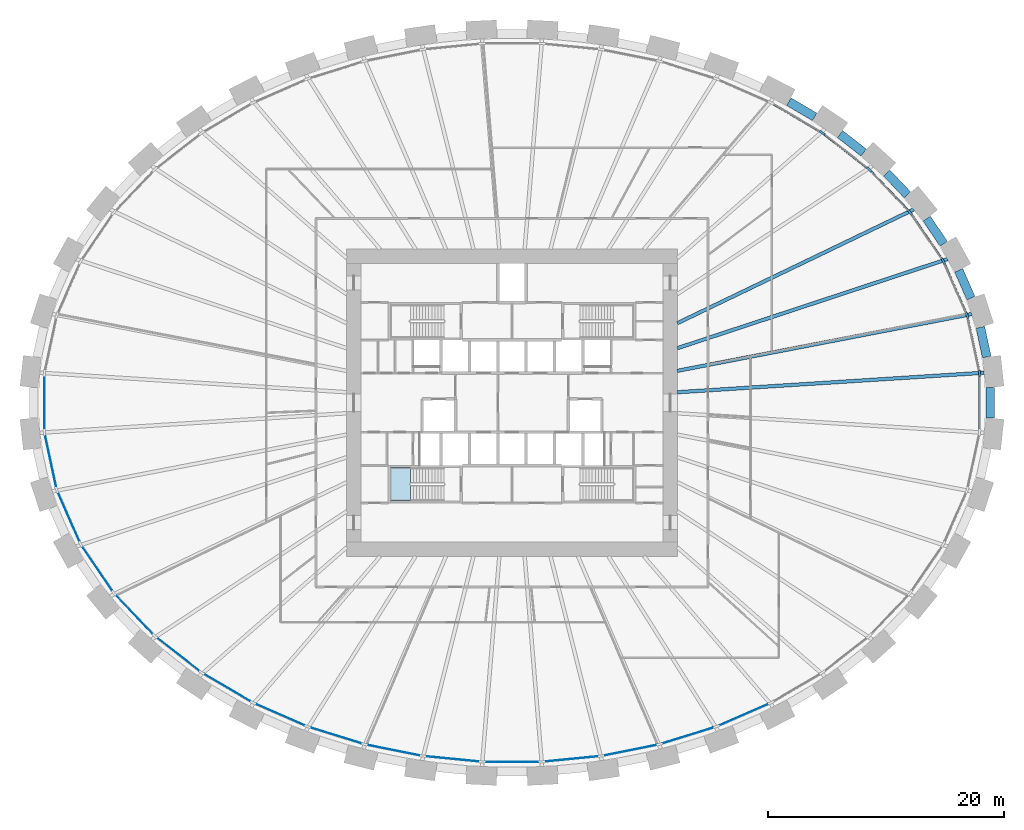
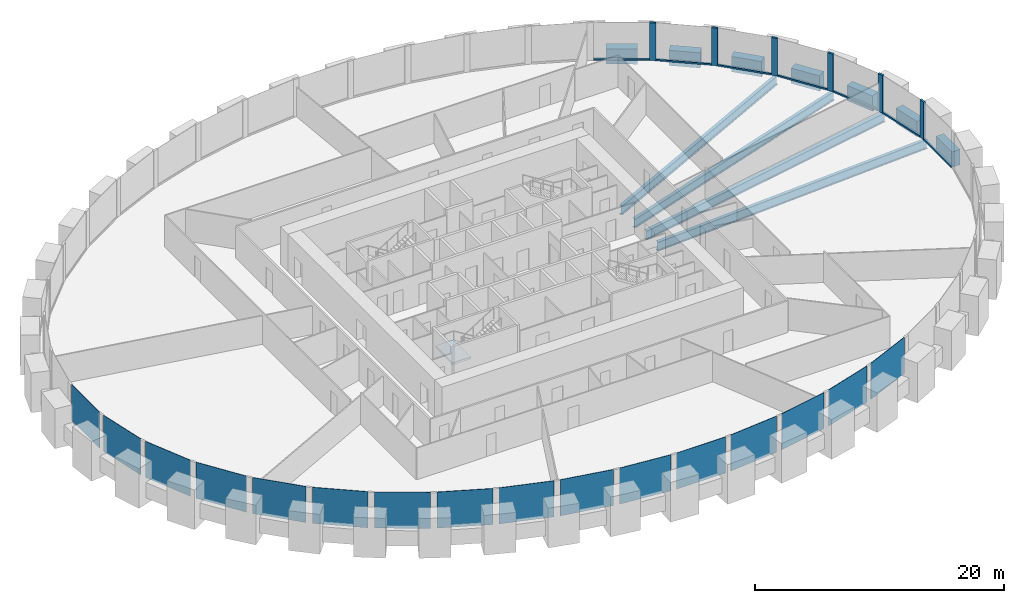
# One storey, part 4 of 11: 16 plates, 13 members, 11 beams, 1 slab, 2 elements without a shape of their own.
"""IFC4 building model written with IfcOpenShell, lengths in metres."""

from ifc_helpers import new_model, si_unit, direction, frame, origin, origin_2d, place, context, subcontext, project, spatial, polyline, rectangle, i_section, outline, extrude, source, transform, mapped, material, layer, layer_set, material_profile, profile_set, type_object, element, aggregate, save


model = new_model("IFC4")

# Units and contexts
model_context = context("Model", 3, precision=1e-05, world=origin(), true_north=direction((0.0, 1.0)))
body_context = subcontext(model_context, "Body", "Model", "MODEL_VIEW")
ifc_project = project(units=[si_unit("LENGTHUNIT", "METRE"), si_unit("AREAUNIT", "SQUARE_METRE"), si_unit("VOLUMEUNIT", "CUBIC_METRE"), si_unit("PLANEANGLEUNIT", "RADIAN"), si_unit("MASSUNIT", "GRAM", prefix="KILO")], contexts=[model_context])

# Site, building, storey
site_placement = place(None, origin())
site = spatial("IfcSite", under=ifc_project, at=site_placement, CompositionType="ELEMENT")
building_placement = place(site_placement, origin())
building = spatial("IfcBuilding", under=site, at=building_placement, Name="Embergate Tower", CompositionType="ELEMENT")
storey_placement = place(building_placement, frame((0.0, 0.0, 69.800048828125)))
storey = spatial("IfcBuildingStorey", under=building, at=storey_placement, Name="L13", CompositionType="ELEMENT", Elevation=69.800048828125)

# Beams
ifc_material_1 = material(Name="Concrete C70", Category="concrete")
ifc_material_profile_1 = material_profile(ifc_material_1, rectangle(XDim=0.75, YDim=1.5, at=origin_2d()), Name="RC 750x1500")
ifc_profile_set_1 = profile_set([ifc_material_profile_1], Name="Concrete C70")
beam_type_1 = type_object("IfcBeamType", Name="Spandrel beam RC 750x1500 C70", PredefinedType="BEAM", material=ifc_profile_set_1)
shared_shape_1 = source(origin(), body_context, "Body", "SweptSolid", [
    extrude(rectangle(XDim=0.75, YDim=1.5, at=origin_2d()), origin(), (0.0, 0.0, 1.0), 2.5498046875),
])
beam_1_placement = place(storey_placement, frame((33.48388671875, 17.60791015625, 0.0), z_axis=(-0.689760361446, 0.724037736432, 0.0), x_axis=(-0.724037736432, -0.689760361446, 0.0)))
element("IfcBeam", 1, at=beam_1_placement, inside=storey, type_object=beam_type_1, Name="SPN-L13-03", PredefinedType="BEAM", context=body_context, shape_type="MappedRepresentation", body=[
    mapped(shared_shape_1, transform((0.0, 0.0, 0.0))),
])
shared_shape_2 = source(origin(), body_context, "Body", "SweptSolid", [
    extrude(rectangle(XDim=0.75, YDim=1.5, at=origin_2d()), origin(), (0.0, 0.0, 1.0), 2.5693359375),
])
beam_2_placement = place(storey_placement, frame((40.201904296875, 3.87109375, 0.0), z_axis=(-0.210093623492, 0.977681271871, 0.0), x_axis=(-0.977681271871, -0.210093623492, 0.0)))
element("IfcBeam", 2, at=beam_2_placement, inside=storey, type_object=beam_type_1, Name="SPN-L13-00", PredefinedType="BEAM", context=body_context, shape_type="MappedRepresentation", body=[
    mapped(shared_shape_2, transform((0.0, 0.0, 0.0))),
])
shared_shape_3 = source(origin(), body_context, "Body", "SweptSolid", [
    extrude(rectangle(XDim=0.75, YDim=1.5, at=origin_2d()), origin(), (0.0, 0.0, 1.0), 2.56591796875),
])
beam_3_placement = place(storey_placement, frame((38.862060546875, 8.85693359375, 0.0), z_axis=(-0.401427690069, 0.915890719271, 0.0), x_axis=(-0.915890719271, -0.401427690069, 0.0)))
element("IfcBeam", 3, at=beam_3_placement, inside=storey, type_object=beam_type_1, Name="SPN-L13-01", PredefinedType="BEAM", context=body_context, shape_type="MappedRepresentation", body=[
    mapped(shared_shape_3, transform((0.0, 0.0, 0.0))),
])
shared_shape_4 = source(origin(), body_context, "Body", "SweptSolid", [
    extrude(rectangle(XDim=0.75, YDim=1.5, at=origin_2d()), origin(), (0.0, 0.0, 1.0), 2.556640625),
])
beam_4_placement = place(storey_placement, frame((36.555908203125, 13.471923828125, 0.0), z_axis=(-0.562432772417, 0.826843018058, 0.0), x_axis=(-0.826843018058, -0.562432772417, 0.0)))
element("IfcBeam", 4, at=beam_4_placement, inside=storey, type_object=beam_type_1, Name="SPN-L13-02", PredefinedType="BEAM", context=body_context, shape_type="MappedRepresentation", body=[
    mapped(shared_shape_4, transform((0.0, 0.0, 0.0))),
])
shared_shape_5 = source(origin(), body_context, "Body", "SweptSolid", [
    extrude(rectangle(XDim=0.75, YDim=1.5, at=origin_2d()), origin(), (0.0, 0.0, 1.0), 2.542724609375),
])
beam_5_placement = place(storey_placement, frame((29.783935546875, 21.18408203125, 0.0), z_axis=(-0.788472504965, 0.615070003264, 0.0), x_axis=(-0.615070003264, -0.788472504965, 0.0)))
element("IfcBeam", 5, at=beam_5_placement, inside=storey, type_object=beam_type_1, Name="SPN-L13-04", PredefinedType="BEAM", context=body_context, shape_type="MappedRepresentation", body=[
    mapped(shared_shape_5, transform((0.0, 0.0, 0.0))),
])
shared_shape_6 = source(origin(), body_context, "Body", "SweptSolid", [
    extrude(rectangle(XDim=0.75, YDim=1.5, at=origin_2d()), origin(), (0.0, 0.0, 1.0), 2.537109375),
])
beam_6_placement = place(storey_placement, frame((25.62890625, 24.2099609375, 0.0), z_axis=(-0.861993577549, 0.506919196978, 0.0), x_axis=(-0.506919196978, -0.861993577549, 0.0)))
element("IfcBeam", 6, at=beam_6_placement, inside=storey, type_object=beam_type_1, Name="SPN-L13-05", PredefinedType="BEAM", context=body_context, shape_type="MappedRepresentation", body=[
    mapped(shared_shape_6, transform((0.0, 0.0, 0.0))),
])
shared_shape_7 = source(origin(), body_context, "Body", "SweptSolid", [
    extrude(rectangle(XDim=0.75, YDim=1.5, at=origin_2d()), origin(), (0.0, 0.0, 1.0), 2.576171875),
])
beam_7_placement = place(storey_placement, frame((40.4970703125, -1.2880859375, 0.0), z_axis=(0.0, 1.0, 0.0), x_axis=(-1.0, 0.0, 0.0)))
element("IfcBeam", 7, at=beam_7_placement, inside=storey, type_object=beam_type_1, Name="SPN-L13-43", PredefinedType="BEAM", context=body_context, shape_type="MappedRepresentation", body=[
    mapped(shared_shape_7, transform((0.0, 0.0, 0.0))),
])
ifc_material_2 = material(Name="Steel Q355B", Category="steel")
ifc_material_profile_2 = material_profile(ifc_material_2, i_section(OverallWidth=0.300048828125, OverallDepth=0.89990234375, WebThickness=0.01611328125, FlangeThickness=0.028076171875, FilletRadius=0.028076171875, at=origin_2d()), Name="HN 900x300x16x28")
ifc_profile_set_2 = profile_set([ifc_material_profile_2], Name="Steel Q355 grade B")
beam_type_2 = type_object("IfcBeamType", Name="Radial girder HN 900x300x16x28", PredefinedType="BEAM", material=ifc_profile_set_2)
shared_shape_8 = source(origin(), body_context, "Body", "SweptSolid", [
    extrude(i_section(OverallWidth=0.300048828125, OverallDepth=0.89990234375, WebThickness=0.01611328125, FlangeThickness=0.028076171875, FilletRadius=0.028076171875, at=origin_2d()), origin(), (0.0, 0.0, 1.0), 26.034423828125),
])
beam_8_placement = place(storey_placement, frame((39.98193359375, 2.5400390625, -0.650146484375), z_axis=(-0.997986864702, -0.063420957753, 0.0), x_axis=(0.063420957753, -0.997986864702, 0.0)))
element("IfcBeam", 8, at=beam_8_placement, inside=storey, type_object=beam_type_2, Name="GIR-L13-00", PredefinedType="BEAM", context=body_context, shape_type="MappedRepresentation", body=[
    mapped(shared_shape_8, transform((0.0, 0.0, 0.0))),
])
shared_shape_9 = source(origin(), body_context, "Body", "SweptSolid", [
    extrude(i_section(OverallWidth=0.300048828125, OverallDepth=0.89990234375, WebThickness=0.01611328125, FlangeThickness=0.028076171875, FilletRadius=0.028076171875, at=origin_2d()), origin(), (0.0, 0.0, 1.0), 25.373291015625),
])
beam_9_placement = place(storey_placement, frame((38.9140625, 7.507080078125, -0.650146484375), z_axis=(-0.981896748495, -0.189416935078, 0.0), x_axis=(0.189416935078, -0.981896748495, 0.0)))
element("IfcBeam", 9, at=beam_9_placement, inside=storey, type_object=beam_type_2, Name="GIR-L13-01", PredefinedType="BEAM", context=body_context, shape_type="MappedRepresentation", body=[
    mapped(shared_shape_9, transform((0.0, 0.0, 0.0))),
])
shared_shape_10 = source(origin(), body_context, "Body", "SweptSolid", [
    extrude(i_section(OverallWidth=0.300048828125, OverallDepth=0.89990234375, WebThickness=0.01611328125, FlangeThickness=0.028076171875, FilletRadius=0.028076171875, at=origin_2d()), origin(), (0.0, 0.0, 1.0), 24.0849609375),
])
beam_10_placement = place(storey_placement, frame((36.873046875, 12.160888671875, -0.650146484375), z_axis=(-0.949680038857, -0.313221684748, 0.0), x_axis=(0.313221684748, -0.949680038857, 0.0)))
element("IfcBeam", 10, at=beam_10_placement, inside=storey, type_object=beam_type_2, Name="GIR-L13-02", PredefinedType="BEAM", context=body_context, shape_type="MappedRepresentation", body=[
    mapped(shared_shape_10, transform((0.0, 0.0, 0.0))),
])
shared_shape_11 = source(origin(), body_context, "Body", "SweptSolid", [
    extrude(i_section(OverallWidth=0.300048828125, OverallDepth=0.89990234375, WebThickness=0.01611328125, FlangeThickness=0.028076171875, FilletRadius=0.028076171875, at=origin_2d()), origin(), (0.0, 0.0, 1.0), 22.210693359375),
])
beam_11_placement = place(storey_placement, frame((34.014892578125, 16.364013671875, -0.650146484375), z_axis=(-0.90114054222, -0.433527073165, 0.0), x_axis=(0.433527073165, -0.90114054222, 0.0)))
element("IfcBeam", 11, at=beam_11_placement, inside=storey, type_object=beam_type_2, Name="GIR-L13-03", PredefinedType="BEAM", context=body_context, shape_type="MappedRepresentation", body=[
    mapped(shared_shape_11, transform((0.0, 0.0, 0.0))),
])

# Curtain wall, members, plates
ifc_material_3 = material(Name="Aluminium and glass", Category="aluminium")
curtain_wall_type = type_object("IfcCurtainWallType", Name="Recessed office glazing", PredefinedType="NOTDEFINED", material=ifc_material_3)
curtain_wall_placement = place(storey_placement, origin())
curtain_wall = element("IfcCurtainWall", 12, at=curtain_wall_placement, inside=storey, type_object=curtain_wall_type, Name="Recessed office glazing ring", ObjectType="RECESSED OFFICE GLAZING", PredefinedType="USERDEFINED")
ifc_material_4 = material(Name="Aluminium, thermally broken", Category="aluminium")
ifc_material_profile_3 = material_profile(ifc_material_4, rectangle(XDim=0.179931640625, YDim=0.52001953125, at=origin_2d()), Name="AL 520x180")
ifc_profile_set_3 = profile_set([ifc_material_profile_3], Name="Aluminium, thermally broken")
member_type_1 = type_object("IfcMemberType", Name="Office mullion", PredefinedType="MULLION", material=ifc_profile_set_3)
shared_shape_12 = source(origin(), body_context, "Body", "SweptSolid", [
    extrude(rectangle(XDim=0.179931640625, YDim=0.52001953125, at=origin_2d()), origin(), (0.0, 0.0, 1.0), 3.699951171875),
])
member_1_placement = place(storey_placement, frame((39.59521484375, 2.498291015625, 0.0), z_axis=(0.0, 0.0, 1.0), x_axis=(-0.994385324123, -0.105819786286, 0.0)))
member_1 = element("IfcMember", 13, at=member_1_placement, type_object=member_type_1, Name="CW mullion 1", PredefinedType="MULLION", context=body_context, shape_type="MappedRepresentation", body=[
    mapped(shared_shape_12, transform((0.0, 0.0, 0.0))),
])
member_2_placement = place(storey_placement, frame((38.543212890625, 7.3857421875, 0.0), z_axis=(0.0, 0.0, 1.0), x_axis=(-0.951501019702, -0.307645590748, 0.0)))
member_2 = element("IfcMember", 14, at=member_2_placement, type_object=member_type_1, Name="CW mullion 2", PredefinedType="MULLION", context=body_context, shape_type="MappedRepresentation", body=[
    mapped(shared_shape_12, transform((0.0, 0.0, 0.0))),
])
member_3_placement = place(storey_placement, frame((36.532470703125, 11.970458984375, 0.0), z_axis=(0.0, 0.0, 1.0), x_axis=(-0.875007810402, -0.484108801547, 0.0)))
member_3 = element("IfcMember", 15, at=member_3_placement, type_object=member_type_1, Name="CW mullion 3", PredefinedType="MULLION", context=body_context, shape_type="MappedRepresentation", body=[
    mapped(shared_shape_12, transform((0.0, 0.0, 0.0))),
])
member_4_placement = place(storey_placement, frame((33.712158203125, 16.11767578125, 0.0), z_axis=(0.0, 0.0, 1.0), x_axis=(-0.777880241921, -0.628412547002, 0.0)))
member_4 = element("IfcMember", 16, at=member_4_placement, type_object=member_type_1, Name="CW mullion 4", PredefinedType="MULLION", context=body_context, shape_type="MappedRepresentation", body=[
    mapped(shared_shape_12, transform((0.0, 0.0, 0.0))),
])
member_5_placement = place(storey_placement, frame((30.2451171875, 19.75341796875, 0.0), z_axis=(0.0, 0.0, 1.0), x_axis=(-0.671234296295, -0.74124524921, 0.0)))
member_5 = element("IfcMember", 17, at=member_5_placement, type_object=member_type_1, Name="CW mullion 5", PredefinedType="MULLION", context=body_context, shape_type="MappedRepresentation", body=[
    mapped(shared_shape_12, transform((0.0, 0.0, 0.0))),
])
member_6_placement = place(storey_placement, frame((26.278564453125, 22.849365234375, 0.0), z_axis=(0.0, 0.0, 1.0), x_axis=(-0.562223392005, -0.826985403428, 0.0)))
member_6 = element("IfcMember", 18, at=member_6_placement, type_object=member_type_1, Name="CW mullion 6", PredefinedType="MULLION", context=body_context, shape_type="MappedRepresentation", body=[
    mapped(shared_shape_12, transform((0.0, 0.0, 0.0))),
])
ifc_material_profile_4 = material_profile(ifc_material_4, rectangle(XDim=0.179931640625, YDim=0.14990234375, at=origin_2d()), Name="AL 150x180")
ifc_profile_set_4 = profile_set([ifc_material_profile_4], Name="Aluminium, thermally broken")
member_type_2 = type_object("IfcMemberType", Name="Office sill transom", PredefinedType="USERDEFINED", material=ifc_profile_set_4)
shared_shape_13 = source(origin(), body_context, "Body", "SweptSolid", [
    extrude(rectangle(XDim=0.179931640625, YDim=0.14990234375, at=origin_2d()), origin(), (0.0, 0.0, 1.0), 4.50390625),
])
member_7_placement = place(storey_placement, frame((33.53271484375, 16.305908203125, 0.074951171875), z_axis=(-0.69015852771, 0.723658211194, 0.0), x_axis=(-0.723658211194, -0.69015852771, 0.0)))
member_7 = element("IfcMember", 19, at=member_7_placement, type_object=member_type_2, Name="CW transom 4.1", ObjectType="TRANSOM", PredefinedType="USERDEFINED", context=body_context, shape_type="MappedRepresentation", body=[
    mapped(shared_shape_13, transform((0.0, 0.0, 0.0))),
])
shared_shape_14 = source(origin(), body_context, "Body", "SweptSolid", [
    extrude(rectangle(XDim=0.179931640625, YDim=0.14990234375, at=origin_2d()), origin(), (0.0, 0.0, 1.0), 4.4794921875),
])
member_8_placement = place(storey_placement, frame((39.540283203125, 2.75244140625, 0.074951171875), z_axis=(-0.210381382065, 0.977619391216, 0.0), x_axis=(-0.977619391216, -0.210381382065, 0.0)))
member_8 = element("IfcMember", 20, at=member_8_placement, type_object=member_type_2, Name="CW transom 1.1", ObjectType="TRANSOM", PredefinedType="USERDEFINED", context=body_context, shape_type="MappedRepresentation", body=[
    mapped(shared_shape_14, transform((0.0, 0.0, 0.0))),
])
shared_shape_15 = source(origin(), body_context, "Body", "SweptSolid", [
    extrude(rectangle(XDim=0.179931640625, YDim=0.14990234375, at=origin_2d()), origin(), (0.0, 0.0, 1.0), 4.486328125),
])
member_9_placement = place(storey_placement, frame((38.43896484375, 7.623779296875, 0.074951171875), z_axis=(-0.401655089719, 0.915791018138, 0.0), x_axis=(-0.915791018138, -0.401655089719, 0.0)))
member_9 = element("IfcMember", 21, at=member_9_placement, type_object=member_type_2, Name="CW transom 2.1", ObjectType="TRANSOM", PredefinedType="USERDEFINED", context=body_context, shape_type="MappedRepresentation", body=[
    mapped(shared_shape_15, transform((0.0, 0.0, 0.0))),
])
shared_shape_16 = source(origin(), body_context, "Body", "SweptSolid", [
    extrude(rectangle(XDim=0.179931640625, YDim=0.14990234375, at=origin_2d()), origin(), (0.0, 0.0, 1.0), 4.4951171875),
])
member_10_placement = place(storey_placement, frame((36.38623046875, 12.185546875, 0.074951171875), z_axis=(-0.562347159837, 0.826901246718, 0.0), x_axis=(-0.826901246718, -0.562347159837, 0.0)))
member_10 = element("IfcMember", 22, at=member_10_placement, type_object=member_type_2, Name="CW transom 3.1", ObjectType="TRANSOM", PredefinedType="USERDEFINED", context=body_context, shape_type="MappedRepresentation", body=[
    mapped(shared_shape_16, transform((0.0, 0.0, 0.0))),
])
shared_shape_17 = source(origin(), body_context, "Body", "SweptSolid", [
    extrude(rectangle(XDim=0.179931640625, YDim=0.14990234375, at=origin_2d()), origin(), (0.0, 0.0, 1.0), 4.511474609375),
])
member_11_placement = place(storey_placement, frame((30.0400390625, 19.91357421875, 0.074951171875), z_axis=(-0.788345870827, 0.615232304052, 0.0), x_axis=(-0.615232304052, -0.788345870827, 0.0)))
member_11 = element("IfcMember", 23, at=member_11_placement, type_object=member_type_2, Name="CW transom 5.1", ObjectType="TRANSOM", PredefinedType="USERDEFINED", context=body_context, shape_type="MappedRepresentation", body=[
    mapped(shared_shape_17, transform((0.0, 0.0, 0.0))),
])
shared_shape_18 = source(origin(), body_context, "Body", "SweptSolid", [
    extrude(rectangle(XDim=0.179931640625, YDim=0.14990234375, at=origin_2d()), origin(), (0.0, 0.0, 1.0), 4.517578125),
])
member_12_placement = place(storey_placement, frame((26.054443359375, 22.981201171875, 0.074951171875), z_axis=(-0.862064774491, 0.506798110279, 0.0), x_axis=(-0.506798110279, -0.862064774491, 0.0)))
member_12 = element("IfcMember", 24, at=member_12_placement, type_object=member_type_2, Name="CW transom 6.1", ObjectType="TRANSOM", PredefinedType="USERDEFINED", context=body_context, shape_type="MappedRepresentation", body=[
    mapped(shared_shape_18, transform((0.0, 0.0, 0.0))),
])
shared_shape_19 = source(origin(), body_context, "Body", "SweptSolid", [
    extrude(rectangle(XDim=0.179931640625, YDim=0.14990234375, at=origin_2d()), origin(), (0.0, 0.0, 1.0), 4.4765625),
])
member_13_placement = place(storey_placement, frame((39.59521484375, -2.23828125, 0.074951171875), z_axis=(0.0, 1.0, 0.0), x_axis=(-1.0, 0.0, 0.0)))
member_13 = element("IfcMember", 25, at=member_13_placement, type_object=member_type_2, Name="CW transom 44.1", ObjectType="TRANSOM", PredefinedType="USERDEFINED", context=body_context, shape_type="MappedRepresentation", body=[
    mapped(shared_shape_19, transform((0.0, 0.0, 0.0))),
])
ifc_material_5 = material(Name="Triple glazing, low-emissivity coating", Category="glass")
ifc_layer_1 = layer(ifc_material_5, 0.035888671875)
ifc_layer_set_1 = layer_set([ifc_layer_1], Name="Triple glazing, low-emissivity coating")
plate_type = type_object("IfcPlateType", Name="Office glazing unit", PredefinedType="CURTAIN_PANEL", material=ifc_layer_set_1)
shared_shape_20 = source(origin(), body_context, "Body", "SweptSolid", [
    extrude(rectangle(XDim=4.50390625, YDim=0.035888671875, at=origin_2d()), origin(), (0.0, 0.0, 1.0), 3.550048828125),
])
plate_1_placement = place(storey_placement, frame((-31.978515625, -17.935546875, 0.14990234375), z_axis=(0.0, 0.0, 1.0), x_axis=(0.690129995266, -0.723685421737, 0.0)))
plate_1 = element("IfcPlate", 26, at=plate_1_placement, type_object=plate_type, Name="CW panel 26.1", PredefinedType="CURTAIN_PANEL", context=body_context, shape_type="MappedRepresentation", body=[
    mapped(shared_shape_20, transform((0.0, 0.0, 0.0))),
])
shared_shape_21 = source(origin(), body_context, "Body", "SweptSolid", [
    extrude(rectangle(XDim=4.479248046875, YDim=0.035888671875, at=origin_2d()), origin(), (0.0, 0.0, 1.0), 3.550048828125),
])
plate_2_placement = place(storey_placement, frame((-39.069091796875, -4.94189453125, 0.14990234375), z_axis=(0.0, 0.0, 1.0), x_axis=(0.210394978653, -0.977616465163, 0.0)))
plate_2 = element("IfcPlate", 27, at=plate_2_placement, type_object=plate_type, Name="CW panel 23.1", PredefinedType="CURTAIN_PANEL", context=body_context, shape_type="MappedRepresentation", body=[
    mapped(shared_shape_21, transform((0.0, 0.0, 0.0))),
])
shared_shape_22 = source(origin(), body_context, "Body", "SweptSolid", [
    extrude(rectangle(XDim=4.486328125, YDim=0.035888671875, at=origin_2d()), origin(), (0.0, 0.0, 1.0), 3.550048828125),
])
plate_3_placement = place(storey_placement, frame((-37.537841796875, -9.677978515625, 0.14990234375), z_axis=(0.0, 0.0, 1.0), x_axis=(0.401647306074, -0.915794431913, 0.0)))
plate_3 = element("IfcPlate", 28, at=plate_3_placement, type_object=plate_type, Name="CW panel 24.1", PredefinedType="CURTAIN_PANEL", context=body_context, shape_type="MappedRepresentation", body=[
    mapped(shared_shape_22, transform((0.0, 0.0, 0.0))),
])
shared_shape_23 = source(origin(), body_context, "Body", "SweptSolid", [
    extrude(rectangle(XDim=4.495361328125, YDim=0.035888671875, at=origin_2d()), origin(), (0.0, 0.0, 1.0), 3.550048828125),
])
plate_4_placement = place(storey_placement, frame((-35.122314453125, -14.044189453125, 0.14990234375), z_axis=(0.0, 0.0, 1.0), x_axis=(0.562337412243, -0.826907875638, 0.0)))
plate_4 = element("IfcPlate", 29, at=plate_4_placement, type_object=plate_type, Name="CW panel 25.1", PredefinedType="CURTAIN_PANEL", context=body_context, shape_type="MappedRepresentation", body=[
    mapped(shared_shape_23, transform((0.0, 0.0, 0.0))),
])
shared_shape_24 = source(origin(), body_context, "Body", "SweptSolid", [
    extrude(rectangle(XDim=4.51171875, YDim=0.035888671875, at=origin_2d()), origin(), (0.0, 0.0, 1.0), 3.550048828125),
])
plate_5_placement = place(storey_placement, frame((-28.26171875, -21.301513671875, 0.14990234375), z_axis=(0.0, 0.0, 1.0), x_axis=(0.788316897722, -0.615269427784, 0.0)))
plate_5 = element("IfcPlate", 30, at=plate_5_placement, type_object=plate_type, Name="CW panel 27.1", PredefinedType="CURTAIN_PANEL", context=body_context, shape_type="MappedRepresentation", body=[
    mapped(shared_shape_24, transform((0.0, 0.0, 0.0))),
])
shared_shape_25 = source(origin(), body_context, "Body", "SweptSolid", [
    extrude(rectangle(XDim=4.517578125, YDim=0.035888671875, at=origin_2d()), origin(), (0.0, 0.0, 1.0), 3.550048828125),
])
plate_6_placement = place(storey_placement, frame((-24.107177734375, -24.1259765625, 0.14990234375), z_axis=(0.0, 0.0, 1.0), x_axis=(0.862050514108, -0.506822366443, 0.0)))
plate_6 = element("IfcPlate", 31, at=plate_6_placement, type_object=plate_type, Name="CW panel 28.1", PredefinedType="CURTAIN_PANEL", context=body_context, shape_type="MappedRepresentation", body=[
    mapped(shared_shape_25, transform((0.0, 0.0, 0.0))),
])
shared_shape_26 = source(origin(), body_context, "Body", "SweptSolid", [
    extrude(rectangle(XDim=4.522216796875, YDim=0.035888671875, at=origin_2d()), origin(), (0.0, 0.0, 1.0), 3.550048828125),
])
plate_7_placement = place(storey_placement, frame((-19.6259765625, -26.41259765625, 0.14990234375), z_axis=(0.0, 0.0, 1.0), x_axis=(0.91623411399, -0.400643293168, 0.0)))
plate_7 = element("IfcPlate", 32, at=plate_7_placement, type_object=plate_type, Name="CW panel 29.1", PredefinedType="CURTAIN_PANEL", context=body_context, shape_type="MappedRepresentation", body=[
    mapped(shared_shape_26, transform((0.0, 0.0, 0.0))),
])
plate_8_placement = place(storey_placement, frame((19.6259765625, -26.41259765625, 0.14990234375), z_axis=(0.0, 0.0, 1.0), x_axis=(0.91623411399, 0.400643293168, 0.0)))
plate_8 = element("IfcPlate", 33, at=plate_8_placement, type_object=plate_type, Name="CW panel 37.1", PredefinedType="CURTAIN_PANEL", context=body_context, shape_type="MappedRepresentation", body=[
    mapped(shared_shape_26, transform((0.0, 0.0, 0.0))),
])
shared_shape_27 = source(origin(), body_context, "Body", "SweptSolid", [
    extrude(rectangle(XDim=4.525390625, YDim=0.035888671875, at=origin_2d()), origin(), (0.0, 0.0, 1.0), 3.550048828125),
])
plate_9_placement = place(storey_placement, frame((-14.9072265625, -28.172607421875, 0.14990234375), z_axis=(0.0, 0.0, 1.0), x_axis=(0.954771179262, -0.297341546458, 0.0)))
plate_9 = element("IfcPlate", 34, at=plate_9_placement, type_object=plate_type, Name="CW panel 30.1", PredefinedType="CURTAIN_PANEL", context=body_context, shape_type="MappedRepresentation", body=[
    mapped(shared_shape_27, transform((0.0, 0.0, 0.0))),
])
plate_10_placement = place(storey_placement, frame((14.9072265625, -28.172607421875, 0.14990234375), z_axis=(0.0, 0.0, 1.0), x_axis=(0.954771179262, 0.297341546458, 0.0)))
plate_10 = element("IfcPlate", 35, at=plate_10_placement, type_object=plate_type, Name="CW panel 36.1", PredefinedType="CURTAIN_PANEL", context=body_context, shape_type="MappedRepresentation", body=[
    mapped(shared_shape_27, transform((0.0, 0.0, 0.0))),
])
shared_shape_28 = source(origin(), body_context, "Body", "SweptSolid", [
    extrude(rectangle(XDim=4.527587890625, YDim=0.035888671875, at=origin_2d()), origin(), (0.0, 0.0, 1.0), 3.550048828125),
])
plate_11_placement = place(storey_placement, frame((-10.024169921875, -29.419189453125, 0.14990234375), z_axis=(0.0, 0.0, 1.0), x_axis=(0.980475221003, -0.196642673395, 0.0)))
plate_11 = element("IfcPlate", 36, at=plate_11_placement, type_object=plate_type, Name="CW panel 31.1", PredefinedType="CURTAIN_PANEL", context=body_context, shape_type="MappedRepresentation", body=[
    mapped(shared_shape_28, transform((0.0, 0.0, 0.0))),
])
plate_12_placement = place(storey_placement, frame((10.024169921875, -29.419189453125, 0.14990234375), z_axis=(0.0, 0.0, 1.0), x_axis=(0.980475221003, 0.196642673395, 0.0)))
plate_12 = element("IfcPlate", 37, at=plate_12_placement, type_object=plate_type, Name="CW panel 35.1", PredefinedType="CURTAIN_PANEL", context=body_context, shape_type="MappedRepresentation", body=[
    mapped(shared_shape_28, transform((0.0, 0.0, 0.0))),
])
shared_shape_29 = source(origin(), body_context, "Body", "SweptSolid", [
    extrude(rectangle(XDim=4.529052734375, YDim=0.035888671875, at=origin_2d()), origin(), (0.0, 0.0, 1.0), 3.550048828125),
])
plate_13_placement = place(storey_placement, frame((-5.037109375, -30.162353515625, 0.14990234375), z_axis=(0.0, 0.0, 1.0), x_axis=(0.995203014042, -0.097831287645, 0.0)))
plate_13 = element("IfcPlate", 38, at=plate_13_placement, type_object=plate_type, Name="CW panel 32.1", PredefinedType="CURTAIN_PANEL", context=body_context, shape_type="MappedRepresentation", body=[
    mapped(shared_shape_29, transform((0.0, 0.0, 0.0))),
])
plate_14_placement = place(storey_placement, frame((5.037109375, -30.162353515625, 0.14990234375), z_axis=(0.0, 0.0, 1.0), x_axis=(0.995203014042, 0.097831287645, 0.0)))
plate_14 = element("IfcPlate", 39, at=plate_14_placement, type_object=plate_type, Name="CW panel 34.1", PredefinedType="CURTAIN_PANEL", context=body_context, shape_type="MappedRepresentation", body=[
    mapped(shared_shape_29, transform((0.0, 0.0, 0.0))),
])
shared_shape_30 = source(origin(), body_context, "Body", "SweptSolid", [
    extrude(rectangle(XDim=4.529296875, YDim=0.035888671875, at=origin_2d()), origin(), (0.0, 0.0, 1.0), 3.550048828125),
])
plate_15_placement = place(storey_placement, frame((0.0, -30.409423828125, 0.14990234375), z_axis=(0.0, 0.0, 1.0), x_axis=(1.0, 0.0, 0.0)))
plate_15 = element("IfcPlate", 40, at=plate_15_placement, type_object=plate_type, Name="CW panel 33.1", PredefinedType="CURTAIN_PANEL", context=body_context, shape_type="MappedRepresentation", body=[
    mapped(shared_shape_30, transform((0.0, 0.0, 0.0))),
])
shared_shape_31 = source(origin(), body_context, "Body", "SweptSolid", [
    extrude(rectangle(XDim=4.4765625, YDim=0.035888671875, at=origin_2d()), origin(), (0.0, 0.0, 1.0), 3.550048828125),
])
plate_16_placement = place(storey_placement, frame((-39.59521484375, 0.0, 0.14990234375), z_axis=(0.0, 0.0, 1.0), x_axis=(0.0, -1.0, 0.0)))
plate_16 = element("IfcPlate", 41, at=plate_16_placement, type_object=plate_type, Name="CW panel 22.1", PredefinedType="CURTAIN_PANEL", context=body_context, shape_type="MappedRepresentation", body=[
    mapped(shared_shape_31, transform((0.0, 0.0, 0.0))),
])
aggregate(curtain_wall, [member_1, member_2, member_3, member_4, member_5, member_6, member_8, member_9, member_10, member_7, member_11, member_12, plate_16, plate_2, plate_3, plate_4, plate_1, plate_5, plate_6, plate_7, plate_9, plate_11, plate_13, plate_15, plate_14, plate_12, plate_10, plate_8, member_13])

# Stair, slab
ifc_material_6 = material(Name="Exit stair")
stair_type = type_object("IfcStairType", Name="Exit stair", PredefinedType="HALF_TURN_STAIR", material=ifc_material_6)
stair_placement = place(storey_placement, origin())
stair = element("IfcStair", 42, at=stair_placement, inside=storey, type_object=stair_type, Name="L13 Exit stair 3", PredefinedType="HALF_TURN_STAIR")
ifc_material_7 = material(Name="Concrete C40", Category="concrete")
ifc_layer_2 = layer(ifc_material_7, 0.199951171875)
ifc_layer_set_2 = layer_set([ifc_layer_2], Name="Concrete C40")
slab_type = type_object("IfcSlabType", Name="Stair landing reinforced concrete", PredefinedType="LANDING", material=ifc_layer_set_2)
shared_shape_32 = source(origin(), body_context, "Body", "SweptSolid", [
    extrude(outline(polyline([(0.0, 0.0), (1.68994140625, 0.0), (1.68994140625, 2.800048828125), (0.0, 2.800048828125), (0.0, 0.0)])), origin(), (0.0, 0.0, 1.0), 0.199951171875),
])
slab_placement = place(storey_placement, frame((-10.300048828125, -8.300048828125, 1.75)))
slab = element("IfcSlab", 43, at=slab_placement, type_object=slab_type, Name="ST3 landing 1", PredefinedType="LANDING", context=body_context, shape_type="MappedRepresentation", body=[
    mapped(shared_shape_32, transform((0.0, 0.0, 0.0))),
])
aggregate(stair, [slab])

save(model, "model.ifc")
